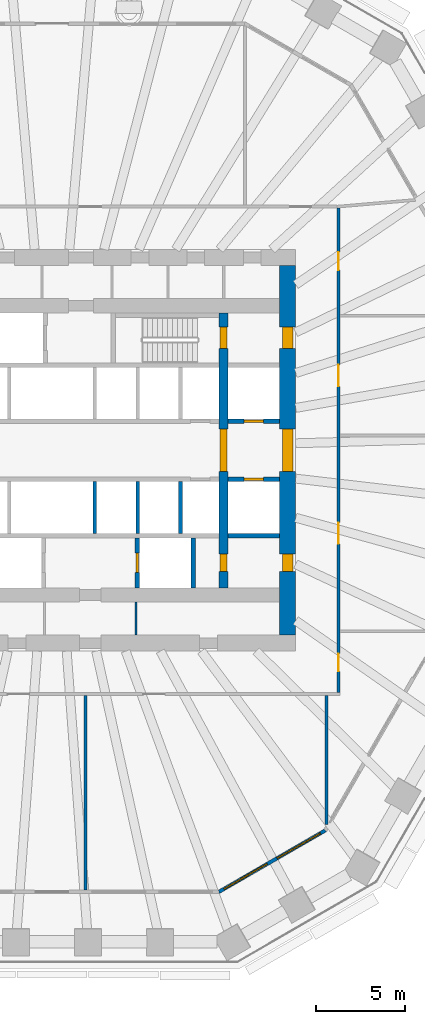
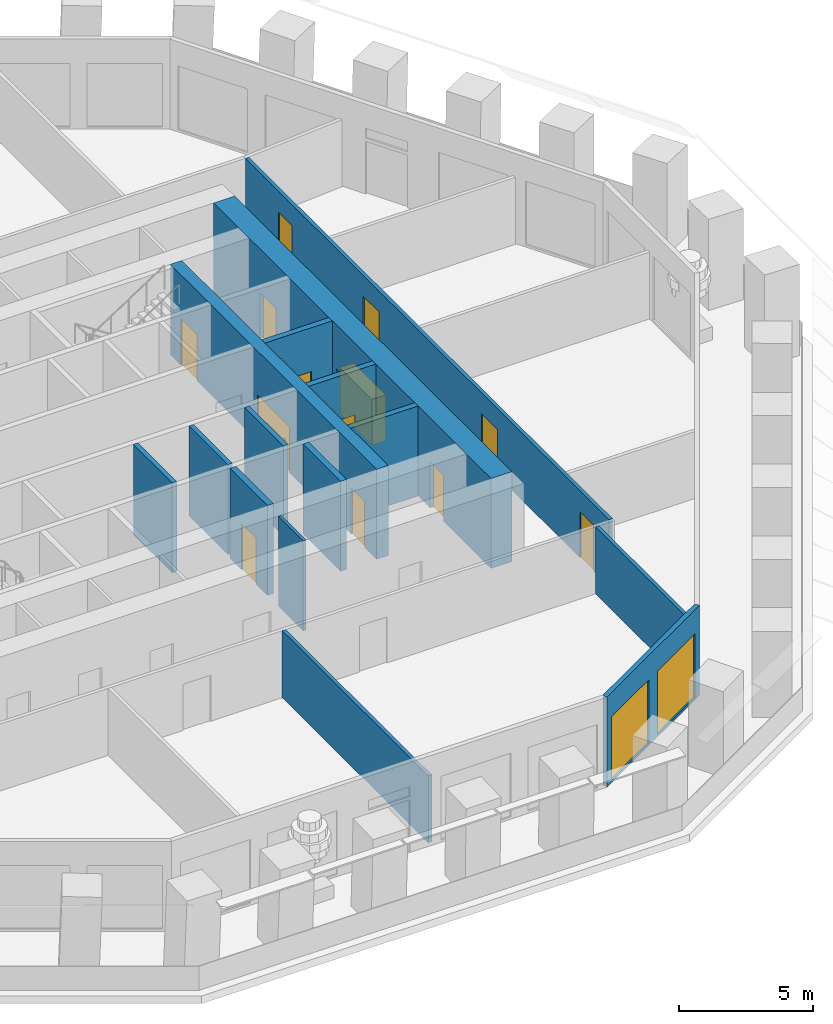
# One storey, part 5 of 12: 15 walls, 13 doors, 2 windows, 15 openings.
"""IFC4 building model written with IfcOpenShell, lengths in metres."""

import ifcopenshell
import ifcopenshell.guid

model = None  # the IFC model being written
_history = None  # IfcOwnerHistory: only IFC2X3 demands one
_inside = {}  # id of a spatial element -> (the spatial element, [elements in it])
_under = {}  # id of a project, library or spatial element -> (it, [spatial elements below it])
_declared = {}  # id of a project -> (the project, [libraries it declares])
_typed = {}  # id of a type object -> (the type object, [elements of that type])
_made_of = {}  # id of a material, layer set ... -> (it, [elements and type objects made of it])


def new_model(schema):
    """Start an empty IFC model of exactly this schema.

    Asked for "IFC4X3", IfcOpenShell would pick the latest addendum, in which some entities
    have other attributes; the version numbers below select the first issue.
    IFC2X3 requires an IfcOwnerHistory on every rooted entity: one is made here for all.
    """
    global model, _history
    if schema == "IFC4X3":
        model = ifcopenshell.file(schema_version=(4, 3, 0, 0))
    else:
        model = ifcopenshell.file(schema=schema)
    _inside.clear()
    _under.clear()
    _declared.clear()
    _typed.clear()
    _made_of.clear()
    _history = None
    if model.schema == "IFC2X3":
        org = make("IfcOrganization", Name="unknown")
        user = make(
            "IfcPersonAndOrganization",
            ThePerson=make("IfcPerson", FamilyName="unknown"),
            TheOrganization=org,
        )
        app = make(
            "IfcApplication",
            ApplicationDeveloper=org,
            Version="unknown",
            ApplicationFullName="unknown",
            ApplicationIdentifier="unknown",
        )
        _history = make(
            "IfcOwnerHistory",
            OwningUser=user,
            OwningApplication=app,
            ChangeAction="ADDED",
            CreationDate=0,
        )
    return model


def make(cls, **values):
    """One entity of the class cls with the attributes given. An attribute that is None is left unset."""
    return model.create_entity(
        cls, **{name: value for name, value in values.items() if value is not None}
    )


def rooted(cls, **values):
    """An entity with a GlobalId (a new one), such as an element, a storey or a relation."""
    return make(cls, GlobalId=ifcopenshell.guid.new(), OwnerHistory=_history, **values)


def si_unit(unit_type, name, prefix=None):
    """IfcSIUnit, for example si_unit("LENGTHUNIT", "METRE", prefix="MILLI")."""
    return make("IfcSIUnit", UnitType=unit_type, Prefix=prefix, Name=name)


def assignment(units):
    """IfcUnitAssignment: the units of a project."""
    return None if units is None else make("IfcUnitAssignment", Units=units)


def point(xyz):
    """IfcCartesianPoint."""
    return None if xyz is None else make("IfcCartesianPoint", Coordinates=xyz)


def direction(xyz):
    """IfcDirection."""
    return None if xyz is None else make("IfcDirection", DirectionRatios=xyz)


def frame(location, z_axis=None, x_axis=None):
    """IfcAxis2Placement3D, a coordinate frame: its origin and axes. An axis left out is left unset."""
    return make(
        "IfcAxis2Placement3D",
        Location=point(location),
        Axis=direction(z_axis),
        RefDirection=direction(x_axis),
    )


def frame_2d(location, x_axis=None):
    """IfcAxis2Placement2D, a coordinate frame in the plane: its origin and x axis."""
    return make(
        "IfcAxis2Placement2D", Location=point(location), RefDirection=direction(x_axis)
    )


def origin():
    """The frame at (0, 0, 0) with its axes left unset."""
    return frame((0.0, 0.0, 0.0))


def place(relative_to, where):
    """IfcLocalPlacement: puts the frame where relative to a parent placement (None: the world)."""
    return make(
        "IfcLocalPlacement", PlacementRelTo=relative_to, RelativePlacement=where
    )


def context(
    kind, dimensions, precision=None, world=None, true_north=None, identifier=None
):
    """IfcGeometricRepresentationContext, for example the 3D "Model" context."""
    return make(
        "IfcGeometricRepresentationContext",
        ContextIdentifier=identifier,
        ContextType=kind,
        CoordinateSpaceDimension=dimensions,
        Precision=precision,
        WorldCoordinateSystem=world,
        TrueNorth=true_north,
    )


def subcontext(parent, identifier, kind, view, scale=None):
    """IfcGeometricRepresentationSubContext, for example "Body" below "Model"."""
    return make(
        "IfcGeometricRepresentationSubContext",
        ContextIdentifier=identifier,
        ContextType=kind,
        ParentContext=parent,
        TargetScale=scale,
        TargetView=view,
    )


def project(units=None, contexts=None):
    """IfcProject with its units and contexts."""
    return rooted(
        "IfcProject",
        Name="project",
        RepresentationContexts=contexts,
        UnitsInContext=assignment(units),
    )


def spatial(cls, under=None, at=None, **own):
    """A site, building, storey or space (cls), placed at a placement, below another one or the project."""
    s = rooted(cls, ObjectPlacement=at, **own)
    if under is not None:
        _under.setdefault(under.id(), (under, []))[1].append(s)
    return s


def polyline(points):
    """IfcPolyline through the points."""
    return make("IfcPolyline", Points=[point(p) for p in points])


def profile(cls, at=None, kind="AREA", **sizes):
    """A parametric profile (cls). Its sizes go by their IFC names, for example OverallWidth=200.0."""
    return make(cls, ProfileType=kind, Position=at, **sizes)


def rectangle(**sizes):
    """IfcRectangleProfileDef."""
    return profile("IfcRectangleProfileDef", **sizes)


def outline(outer, holes=None, kind="AREA"):
    """IfcArbitraryClosedProfileDef: a profile drawn as a closed curve; with holes, ...WithVoids."""
    if holes is None:
        return make("IfcArbitraryClosedProfileDef", ProfileType=kind, OuterCurve=outer)
    return make(
        "IfcArbitraryProfileDefWithVoids",
        ProfileType=kind,
        OuterCurve=outer,
        InnerCurves=holes,
    )


def extrude(swept, where, along, depth):
    """IfcExtrudedAreaSolid: the profile swept, set in the frame where, extruded along a direction by depth."""
    return make(
        "IfcExtrudedAreaSolid",
        SweptArea=swept,
        Position=where,
        ExtrudedDirection=direction(along),
        Depth=depth,
    )


def shape(context_of_items, identifier, shape_type, items):
    """IfcShapeRepresentation: the items that make up one representation, for example the "Body"."""
    return make(
        "IfcShapeRepresentation",
        ContextOfItems=context_of_items,
        RepresentationIdentifier=identifier,
        RepresentationType=shape_type,
        Items=items,
    )


def material(Name=None, Category=None):
    """IfcMaterial."""
    return make("IfcMaterial", Name=Name, Category=Category)


def layer(
    of_material, thickness, ventilated=None, Name=None, Category=None, Priority=None
):
    """IfcMaterialLayer: one layer of a wall or slab, of a material (None: an air gap)."""
    return make(
        "IfcMaterialLayer",
        Material=of_material,
        LayerThickness=thickness,
        IsVentilated=ventilated,
        Name=Name,
        Category=Category,
        Priority=Priority,
    )


def layer_set(layers, Name=None):
    """IfcMaterialLayerSet."""
    return make("IfcMaterialLayerSet", MaterialLayers=layers, LayerSetName=Name)


def made_of(thing, what):
    """Note that an element or type object is made of a material, layer set ...; save() writes the relation."""
    if what is not None:
        _made_of.setdefault(what.id(), (what, []))[1].append(thing)
    return thing


def type_object(cls, material=None, **own):
    """A type object (cls), such as IfcWallType, which elements share."""
    return made_of(rooted(cls, **own), material)


def element(
    cls,
    number,
    at=None,
    inside=None,
    cuts=None,
    type_object=None,
    material=None,
    context=None,
    identifier="Body",
    shape_type=None,
    held_by="IfcProductDefinitionShape",
    body=None,
    shapes=None,
    **own,
):
    """One element of the class cls, such as IfcWall. Its Tag is "e" and its number.

    at: its placement. inside: the storey or other place that contains it. cuts: it is an
    opening in that element (IfcRelVoidsElement). A single representation is given by context,
    identifier, shape_type and body (its items); several are given by shapes. held_by: the class
    of the entity that holds the representations. save() writes the other relations.
    """
    e = rooted(cls, Tag="e%d" % number, ObjectPlacement=at, **own)
    if body is not None:
        shapes = [shape(context, identifier, shape_type, body)]
    if shapes is not None:
        e.Representation = make(held_by, Representations=shapes)
    if inside is not None:
        _inside.setdefault(inside.id(), (inside, []))[1].append(e)
    if cuts is not None:
        rooted(
            "IfcRelVoidsElement", RelatingBuildingElement=cuts, RelatedOpeningElement=e
        )
    if type_object is not None:
        _typed.setdefault(type_object.id(), (type_object, []))[1].append(e)
    return made_of(e, material)


def fill(opening, filler):
    """IfcRelFillsElement: the door or window that sits in an opening."""
    return rooted(
        "IfcRelFillsElement",
        RelatingOpeningElement=opening,
        RelatedBuildingElement=filler,
    )


def aggregate(whole, parts):
    """IfcRelAggregates: a whole, such as a stair, and the parts it consists of."""
    return rooted("IfcRelAggregates", RelatingObject=whole, RelatedObjects=parts)


def save(model, path):
    """Write the relations noted so far, then the file.

    IfcRelAggregates (storeys below a building ...), IfcRelContainedInSpatialStructure (elements
    in a storey), IfcRelDefinesByType, IfcRelAssociatesMaterial and IfcRelDeclares: one each for
    every whole, place, type object, material and project.
    """
    for whole, parts in _under.values():
        aggregate(whole, parts)
    for where, things in _inside.values():
        rooted(
            "IfcRelContainedInSpatialStructure",
            RelatedElements=things,
            RelatingStructure=where,
        )
    for kind, things in _typed.values():
        rooted("IfcRelDefinesByType", RelatedObjects=things, RelatingType=kind)
    for what, things in _made_of.values():
        rooted("IfcRelAssociatesMaterial", RelatedObjects=things, RelatingMaterial=what)
    for by, libraries in _declared.values():
        rooted("IfcRelDeclares", RelatingContext=by, RelatedDefinitions=libraries)
    model.write(path)


model = new_model("IFC4")

# Units and contexts
model_context = context("Model", 3, precision=1e-05, world=origin(), true_north=direction((0.0, 1.0)))
body_context = subcontext(model_context, "Body", "Model", "MODEL_VIEW")
ifc_project = project(units=[si_unit("LENGTHUNIT", "METRE"), si_unit("AREAUNIT", "SQUARE_METRE"), si_unit("VOLUMEUNIT", "CUBIC_METRE"), si_unit("PLANEANGLEUNIT", "RADIAN"), si_unit("MASSUNIT", "GRAM", prefix="KILO")], contexts=[model_context])

# Site, building, storey
site_placement = place(None, origin())
site = spatial("IfcSite", under=ifc_project, at=site_placement, CompositionType="ELEMENT")
building_placement = place(site_placement, origin())
building = spatial("IfcBuilding", under=site, at=building_placement, Name="Frailejon Research Tower", CompositionType="ELEMENT")
storey_placement = place(building_placement, frame((0.0, 0.0, 41.0)))
storey = spatial("IfcBuildingStorey", under=building, at=storey_placement, Name="L09", CompositionType="ELEMENT", Elevation=41.0)

# Wall
ifc_material_1 = material(Name="Plasterboard on steel studs", Category="steel")
ifc_layer_1 = layer(ifc_material_1, 0.125)
ifc_layer_set_1 = layer_set([ifc_layer_1], Name="Core partition 125")
wall_type_1 = type_object("IfcWallType", Name="Core partition 125", PredefinedType="PARTITIONING", material=ifc_layer_set_1)
wall_1_placement = place(storey_placement, frame((4.71240234375, -10.35009765625, 0.0), z_axis=(0.0, 0.0, 1.0), x_axis=(0.0, 1.0, 0.0)))
element("IfcWall", 1, at=wall_1_placement, inside=storey, type_object=wall_type_1, Name="Core partition", PredefinedType="PARTITIONING", context=body_context, shape_type="SweptSolid", body=[
    extrude(rectangle(XDim=1.85009765625, YDim=0.125, at=frame_2d((0.925048828125, 0.0))), origin(), (0.0, 0.0, 1.0), 4.10009765625),
])

# Wall, openings, doors
ifc_material_2 = material(Name="Concrete C70/85", Category="concrete")
ifc_layer_2 = layer(ifc_material_2, 0.5)
ifc_layer_set_2 = layer_set([ifc_layer_2], Name="Core shear wall 500 C70/85")
wall_type_2 = type_object("IfcWallType", Name="Core shear wall 500 C70/85", PredefinedType="SHEAR", material=ifc_layer_set_2)
wall_2_placement = place(storey_placement, frame((9.60009765625, -7.699951171875, 0.0), z_axis=(0.0, 0.0, 1.0), x_axis=(0.0, 1.0, 0.0)))
wall_2 = element("IfcWall", 2, at=wall_2_placement, inside=storey, type_object=wall_type_2, Name="Core shear wall", PredefinedType="SHEAR", context=body_context, shape_type="SweptSolid", body=[
    extrude(rectangle(XDim=15.39990234375, YDim=0.5, at=frame_2d((7.699951171875, 0.0))), origin(), (0.0, 0.0, 1.0), 4.10009765625),
])
opening_1_placement = place(wall_2_placement, frame((6.5, 0.0, 0.0)))
opening_1 = element("IfcOpeningElement", 3, at=opening_1_placement, cuts=wall_2, Name="Opening D2", PredefinedType="OPENING", context=body_context, shape_type="SweptSolid", body=[
    extrude(rectangle(XDim=2.39990234375, YDim=2.10009765625, at=frame_2d((1.199951171875, 1.050048828125))), frame((0.0, 0.260009765625, 0.0), z_axis=(0.0, -1.0, 0.0), x_axis=(1.0, 0.0, 0.0)), (0.0, 0.0, 1.0), 0.52001953125),
])
opening_2_placement = place(wall_2_placement, frame((13.39990234375, 0.0, 0.0)))
opening_2 = element("IfcOpeningElement", 4, at=opening_2_placement, cuts=wall_2, Name="Opening D1", PredefinedType="OPENING", context=body_context, shape_type="SweptSolid", body=[
    extrude(rectangle(XDim=1.199951171875, YDim=2.10009765625, at=frame_2d((0.60009765625, 1.050048828125))), frame((0.0, 0.260009765625, 0.0), z_axis=(0.0, -1.0, 0.0), x_axis=(1.0, 0.0, 0.0)), (0.0, 0.0, 1.0), 0.52001953125),
])
opening_3_placement = place(wall_2_placement, frame((0.89990234375, 0.0, 0.0)))
opening_3 = element("IfcOpeningElement", 5, at=opening_3_placement, cuts=wall_2, Name="Opening D4", PredefinedType="OPENING", context=body_context, shape_type="SweptSolid", body=[
    extrude(rectangle(XDim=1.0, YDim=2.10009765625, at=frame_2d((0.5, 1.050048828125))), frame((0.0, 0.260009765625, 0.0), z_axis=(0.0, -1.0, 0.0), x_axis=(1.0, 0.0, 0.0)), (0.0, 0.0, 1.0), 0.52001953125),
])
ifc_material_3 = material(Name="Steel", Category="steel")
door_type_1 = type_object("IfcDoorType", Name="Lobby double door", OperationType="DOUBLE_DOOR_SINGLE_SWING", PredefinedType="DOOR", material=ifc_material_3)
door_1_placement = place(opening_1_placement, origin())
door_1 = element("IfcDoor", 6, at=door_1_placement, inside=storey, type_object=door_type_1, Name="Lobby door", OperationType="DOUBLE_DOOR_SINGLE_SWING", OverallHeight=2.10009765625, OverallWidth=2.39990234375, PredefinedType="DOOR", context=body_context, shape_type="SweptSolid", body=[
    extrude(rectangle(XDim=2.39990234375, YDim=2.10009765625, at=frame_2d((1.199951171875, 1.050048828125))), frame((0.0, 0.199951171875, 0.0), z_axis=(0.0, -1.0, 0.0), x_axis=(1.0, 0.0, 0.0)), (0.0, 0.0, 1.0), 0.39990234375),
])
fill(opening_1, door_1)
ifc_material_4 = material(Name="Steel", Category="steel")
door_type_2 = type_object("IfcDoorType", Name="Service door", OperationType="SINGLE_SWING_LEFT", PredefinedType="DOOR", material=ifc_material_4)
door_2_placement = place(opening_3_placement, origin())
door_2 = element("IfcDoor", 7, at=door_2_placement, inside=storey, type_object=door_type_2, Name="Riser door", OperationType="SINGLE_SWING_RIGHT", OverallHeight=2.10009765625, OverallWidth=1.0, PredefinedType="DOOR", context=body_context, shape_type="SweptSolid", body=[
    extrude(rectangle(XDim=1.0, YDim=2.10009765625, at=frame_2d((0.5, 1.050048828125))), frame((0.0, 0.199951171875, 0.0), z_axis=(0.0, -1.0, 0.0), x_axis=(1.0, 0.0, 0.0)), (0.0, 0.0, 1.0), 0.39990234375),
])
fill(opening_3, door_2)
ifc_material_5 = material(Name="Steel", Category="steel")
door_type_3 = type_object("IfcDoorType", Name="Stair door", OperationType="SINGLE_SWING_LEFT", PredefinedType="DOOR", material=ifc_material_5)
door_3_placement = place(opening_2_placement, origin())
door_3 = element("IfcDoor", 8, at=door_3_placement, inside=storey, type_object=door_type_3, Name="Stair door ST3", OperationType="SINGLE_SWING_RIGHT", OverallHeight=2.10009765625, OverallWidth=1.199951171875, PredefinedType="DOOR", context=body_context, shape_type="SweptSolid", body=[
    extrude(rectangle(XDim=1.199951171875, YDim=2.10009765625, at=frame_2d((0.60009765625, 1.050048828125))), frame((0.0, 0.199951171875, 0.0), z_axis=(0.0, -1.0, 0.0), x_axis=(1.0, 0.0, 0.0)), (0.0, 0.0, 1.0), 0.39990234375),
])
fill(opening_2, door_3)

ifc_material_6 = material(Name="Concrete C70/85", Category="concrete")
ifc_layer_3 = layer(ifc_material_6, 0.89990234375)
ifc_layer_set_3 = layer_set([ifc_layer_3], Name="Core shear wall 900 C70/85")
wall_type_3 = type_object("IfcWallType", Name="Core shear wall 900 C70/85", PredefinedType="SHEAR", material=ifc_layer_set_3)
wall_3_placement = place(storey_placement, frame((13.199951171875, -10.35009765625, 0.0), z_axis=(0.0, 0.0, 1.0), x_axis=(0.0, 1.0, 0.0)))
wall_3 = element("IfcWall", 9, at=wall_3_placement, inside=storey, type_object=wall_type_3, Name="Core shear wall", PredefinedType="SHEAR", context=body_context, shape_type="SweptSolid", body=[
    extrude(rectangle(XDim=20.7001953125, YDim=0.89990234375, at=frame_2d((10.35009765625, 0.0))), origin(), (0.0, 0.0, 1.0), 4.10009765625),
])
opening_4_placement = place(wall_3_placement, frame((9.14990234375, 0.0, 0.0)))
opening_4 = element("IfcOpeningElement", 10, at=opening_4_placement, cuts=wall_3, Name="Opening D2", PredefinedType="OPENING", context=body_context, shape_type="SweptSolid", body=[
    extrude(rectangle(XDim=2.39990234375, YDim=2.10009765625, at=frame_2d((1.199951171875, 1.050048828125))), frame((0.0, 0.4599609375, 0.0), z_axis=(0.0, -1.0, 0.0), x_axis=(1.0, 0.0, 0.0)), (0.0, 0.0, 1.0), 0.919921875),
])
opening_5_placement = place(wall_3_placement, frame((16.050048828125, 0.0, 0.0)))
opening_5 = element("IfcOpeningElement", 11, at=opening_5_placement, cuts=wall_3, Name="Opening D7", PredefinedType="OPENING", context=body_context, shape_type="SweptSolid", body=[
    extrude(rectangle(XDim=1.199951171875, YDim=2.10009765625, at=frame_2d((0.60009765625, 1.050048828125))), frame((0.0, 0.4599609375, 0.0), z_axis=(0.0, -1.0, 0.0), x_axis=(1.0, 0.0, 0.0)), (0.0, 0.0, 1.0), 0.919921875),
])
opening_6_placement = place(wall_3_placement, frame((3.550048828125, 0.0, 0.0)))
opening_6 = element("IfcOpeningElement", 12, at=opening_6_placement, cuts=wall_3, Name="Opening D4", PredefinedType="OPENING", context=body_context, shape_type="SweptSolid", body=[
    extrude(rectangle(XDim=1.0, YDim=2.10009765625, at=frame_2d((0.5, 1.050048828125))), frame((0.0, 0.4599609375, 0.0), z_axis=(0.0, -1.0, 0.0), x_axis=(1.0, 0.0, 0.0)), (0.0, 0.0, 1.0), 0.919921875),
])
door_4_placement = place(opening_4_placement, origin())
door_4 = element("IfcDoor", 13, at=door_4_placement, inside=storey, type_object=door_type_1, Name="Lobby door", OperationType="DOUBLE_DOOR_SINGLE_SWING", OverallHeight=2.10009765625, OverallWidth=2.39990234375, PredefinedType="DOOR", context=body_context, shape_type="SweptSolid", body=[
    extrude(rectangle(XDim=2.39990234375, YDim=2.10009765625, at=frame_2d((1.199951171875, 1.050048828125))), frame((0.0, 0.300048828125, 0.0), z_axis=(0.0, -1.0, 0.0), x_axis=(1.0, 0.0, 0.0)), (0.0, 0.0, 1.0), 0.60009765625),
])
fill(opening_4, door_4)
door_5_placement = place(opening_6_placement, origin())
door_5 = element("IfcDoor", 14, at=door_5_placement, inside=storey, type_object=door_type_2, Name="Store door", OperationType="SINGLE_SWING_LEFT", OverallHeight=2.10009765625, OverallWidth=1.0, PredefinedType="DOOR", context=body_context, shape_type="SweptSolid", body=[
    extrude(rectangle(XDim=1.0, YDim=2.10009765625, at=frame_2d((0.5, 1.050048828125))), frame((0.0, 0.300048828125, 0.0), z_axis=(0.0, -1.0, 0.0), x_axis=(1.0, 0.0, 0.0)), (0.0, 0.0, 1.0), 0.60009765625),
])
fill(opening_6, door_5)
ifc_material_7 = material(Name="Steel", Category="steel")
door_type_4 = type_object("IfcDoorType", Name="Stair exit door", OperationType="SINGLE_SWING_LEFT", PredefinedType="DOOR", material=ifc_material_7)
door_6_placement = place(opening_5_placement, origin())
door_6 = element("IfcDoor", 15, at=door_6_placement, inside=storey, type_object=door_type_4, Name="Stair exit door ST3", OperationType="SINGLE_SWING_LEFT", OverallHeight=2.10009765625, OverallWidth=1.199951171875, PredefinedType="DOOR", context=body_context, shape_type="SweptSolid", body=[
    extrude(rectangle(XDim=1.199951171875, YDim=2.10009765625, at=frame_2d((0.60009765625, 1.050048828125))), frame((0.0, 0.300048828125, 0.0), z_axis=(0.0, -1.0, 0.0), x_axis=(1.0, 0.0, 0.0)), (0.0, 0.0, 1.0), 0.60009765625),
])
fill(opening_5, door_6)

ifc_material_8 = material(Name="Gypsum board and masonry partition", Category="masonry")
ifc_layer_4 = layer(ifc_material_8, 0.14990234375)
ifc_layer_set_4 = layer_set([ifc_layer_4], Name="Corridor wall EI 60, gypsum on steel studs 150")
wall_type_4 = type_object("IfcWallType", Name="Corridor wall EI 60, gypsum on steel studs 150", PredefinedType="PARTITIONING", material=ifc_layer_set_4)
wall_4_placement = place(storey_placement, frame((16.050048828125, -13.574951171875, 0.0), z_axis=(0.0, 0.0, 1.0), x_axis=(0.0, 1.0, 0.0)))
wall_4 = element("IfcWall", 16, at=wall_4_placement, inside=storey, type_object=wall_type_4, Name="T:IW:L09:001", PredefinedType="PARTITIONING", context=body_context, shape_type="SweptSolid", body=[
    extrude(rectangle(XDim=27.14990234375, YDim=0.14990234375, at=frame_2d((13.574951171875, 0.0))), origin(), (0.0, 0.0, 1.0), 3.050048828125),
])
opening_7_placement = place(wall_4_placement, frame((17.160888671875, 0.0, 0.0)))
opening_7 = element("IfcOpeningElement", 17, at=opening_7_placement, cuts=wall_4, Name="Opening D1372", PredefinedType="OPENING", context=body_context, shape_type="SweptSolid", body=[
    extrude(rectangle(XDim=1.199951171875, YDim=2.10009765625, at=frame_2d((0.60009765625, 1.050048828125))), frame((0.0, 0.0849609375, 0.0), z_axis=(0.0, -1.0, 0.0), x_axis=(1.0, 0.0, 0.0)), (0.0, 0.0, 1.0), 0.169921875),
])
opening_8_placement = place(wall_4_placement, frame((23.671142578125, 0.0, 0.0)))
opening_8 = element("IfcOpeningElement", 18, at=opening_8_placement, cuts=wall_4, Name="Opening D1373", PredefinedType="OPENING", context=body_context, shape_type="SweptSolid", body=[
    extrude(rectangle(XDim=1.0, YDim=2.10009765625, at=frame_2d((0.5, 1.050048828125))), frame((0.0, 0.0849609375, 0.0), z_axis=(0.0, -1.0, 0.0), x_axis=(1.0, 0.0, 0.0)), (0.0, 0.0, 1.0), 0.169921875),
])
opening_9_placement = place(wall_4_placement, frame((1.1865234375, 0.0, 0.0)))
opening_9 = element("IfcOpeningElement", 19, at=opening_9_placement, cuts=wall_4, Name="Opening D1385", PredefinedType="OPENING", context=body_context, shape_type="SweptSolid", body=[
    extrude(rectangle(XDim=1.0, YDim=2.10009765625, at=frame_2d((0.5, 1.050048828125))), frame((0.0, 0.0849609375, 0.0), z_axis=(0.0, -1.0, 0.0), x_axis=(1.0, 0.0, 0.0)), (0.0, 0.0, 1.0), 0.169921875),
])
opening_10_placement = place(wall_4_placement, frame((8.326416015625, 0.0, 0.0)))
opening_10 = element("IfcOpeningElement", 20, at=opening_10_placement, cuts=wall_4, Name="Opening D1386", PredefinedType="OPENING", context=body_context, shape_type="SweptSolid", body=[
    extrude(rectangle(XDim=1.199951171875, YDim=2.10009765625, at=frame_2d((0.60009765625, 1.050048828125))), frame((0.0, 0.0849609375, 0.0), z_axis=(0.0, -1.0, 0.0), x_axis=(1.0, 0.0, 0.0)), (0.0, 0.0, 1.0), 0.169921875),
])
ifc_material_9 = material(Name="Timber door leaf", Category="wood")
door_type_5 = type_object("IfcDoorType", Name="Door laboratory, timber, vision panel 1000", OperationType="NOTDEFINED", PredefinedType="DOOR", material=ifc_material_9)
door_7_placement = place(opening_8_placement, origin())
door_7 = element("IfcDoor", 21, at=door_7_placement, inside=storey, type_object=door_type_5, Name="D1373", OperationType="SINGLE_SWING_LEFT", OverallHeight=2.10009765625, OverallWidth=1.0, PredefinedType="DOOR", context=body_context, shape_type="SweptSolid", body=[
    extrude(rectangle(XDim=1.0, YDim=2.10009765625, at=frame_2d((0.5, 1.050048828125))), frame((0.0, 0.02490234375, 0.0), z_axis=(0.0, -1.0, 0.0), x_axis=(1.0, 0.0, 0.0)), (0.0, 0.0, 1.0), 0.050048828125),
])
fill(opening_8, door_7)
ifc_material_10 = material(Name="Timber door leaf", Category="wood")
door_type_6 = type_object("IfcDoorType", Name="Door laboratory, timber, vision panel 1200", OperationType="NOTDEFINED", PredefinedType="DOOR", material=ifc_material_10)
door_8_placement = place(opening_7_placement, origin())
door_8 = element("IfcDoor", 22, at=door_8_placement, inside=storey, type_object=door_type_6, Name="D1372", OperationType="DOUBLE_DOOR_SINGLE_SWING", OverallHeight=2.10009765625, OverallWidth=1.199951171875, PredefinedType="DOOR", context=body_context, shape_type="SweptSolid", body=[
    extrude(rectangle(XDim=1.199951171875, YDim=2.10009765625, at=frame_2d((0.60009765625, 1.050048828125))), frame((0.0, 0.02490234375, 0.0), z_axis=(0.0, -1.0, 0.0), x_axis=(1.0, 0.0, 0.0)), (0.0, 0.0, 1.0), 0.050048828125),
])
fill(opening_7, door_8)
door_9_placement = place(opening_10_placement, origin())
door_9 = element("IfcDoor", 23, at=door_9_placement, inside=storey, type_object=door_type_6, Name="D1386", OperationType="DOUBLE_DOOR_SINGLE_SWING", OverallHeight=2.10009765625, OverallWidth=1.199951171875, PredefinedType="DOOR", context=body_context, shape_type="SweptSolid", body=[
    extrude(rectangle(XDim=1.199951171875, YDim=2.10009765625, at=frame_2d((0.60009765625, 1.050048828125))), frame((0.0, 0.02490234375, 0.0), z_axis=(0.0, -1.0, 0.0), x_axis=(1.0, 0.0, 0.0)), (0.0, 0.0, 1.0), 0.050048828125),
])
fill(opening_10, door_9)
ifc_material_11 = material(Name="Timber door leaf", Category="wood")
door_type_7 = type_object("IfcDoorType", Name="Door single leaf, timber, steel frame 1000", OperationType="NOTDEFINED", PredefinedType="DOOR", material=ifc_material_11)
door_10_placement = place(opening_9_placement, origin())
door_10 = element("IfcDoor", 24, at=door_10_placement, inside=storey, type_object=door_type_7, Name="D1385", OperationType="SINGLE_SWING_LEFT", OverallHeight=2.10009765625, OverallWidth=1.0, PredefinedType="DOOR", context=body_context, shape_type="SweptSolid", body=[
    extrude(rectangle(XDim=1.0, YDim=2.10009765625, at=frame_2d((0.5, 1.050048828125))), frame((0.0, 0.02490234375, 0.0), z_axis=(0.0, -1.0, 0.0), x_axis=(1.0, 0.0, 0.0)), (0.0, 0.0, 1.0), 0.050048828125),
])
fill(opening_9, door_10)

# Walls
ifc_material_12 = material(Name="Gypsum board and masonry partition", Category="masonry")
ifc_layer_5 = layer(ifc_material_12, 0.14990234375)
ifc_layer_set_5 = layer_set([ifc_layer_5], Name="Laboratory partition, blockwork 150")
wall_type_5 = type_object("IfcWallType", Name="Laboratory partition, blockwork 150", PredefinedType="PARTITIONING", material=ifc_layer_set_5)
wall_5_placement = place(storey_placement, frame((1.87548828125, -24.629638671875, 0.0), z_axis=(0.0, 0.0, 1.0), x_axis=(0.0, 1.0, 0.0)))
element("IfcWall", 25, at=wall_5_placement, inside=storey, type_object=wall_type_5, Name="T:IW:L09:015", PredefinedType="PARTITIONING", context=body_context, shape_type="SweptSolid", body=[
    extrude(rectangle(XDim=10.904541015625, YDim=0.14990234375, at=frame_2d((5.4521484375, 0.0))), origin(), (0.0, 0.0, 1.0), 3.050048828125),
])
wall_6_placement = place(storey_placement, frame((15.37744140625, -20.965576171875, 0.0), z_axis=(0.0, 0.0, 1.0), x_axis=(0.0, 1.0, 0.0)))
element("IfcWall", 26, at=wall_6_placement, inside=storey, type_object=wall_type_5, Name="T:IW:L09:016", PredefinedType="PARTITIONING", context=body_context, shape_type="SweptSolid", body=[
    extrude(rectangle(XDim=7.240478515625, YDim=0.14990234375, at=frame_2d((3.6201171875, 0.0))), origin(), (0.0, 0.0, 1.0), 3.050048828125),
])
ifc_material_13 = material(Name="Concrete C70/85", Category="concrete")
ifc_layer_6 = layer(ifc_material_13, 0.199951171875)
ifc_layer_set_6 = layer_set([ifc_layer_6], Name="Shaft wall 200 C70/85")
wall_type_6 = type_object("IfcWallType", Name="Shaft wall 200 C70/85", PredefinedType="SOLIDWALL", material=ifc_layer_set_6)
for number, where, z_axis, x_axis, name in (
    (27, (2.39990234375, -4.64990234375, 0.0), (0.0, 0.0, 1.0), (0.0, 1.0, 0.0), "Shaft wall"),
    (28, (4.800048828125, -4.64990234375, 0.0), (0.0, 0.0, 1.0), (0.0, 1.0, 0.0), "Shaft wall"),
    (29, (7.199951171875, -4.64990234375, 0.0), (0.0, 0.0, 1.0), (0.0, 1.0, 0.0), "Shaft wall"),
):
    element("IfcWall", number, at=place(storey_placement, frame(where, z_axis=z_axis, x_axis=x_axis)), inside=storey, type_object=wall_type_6, Name=name, PredefinedType="SOLIDWALL", context=body_context, shape_type="SweptSolid", body=[
        extrude(rectangle(XDim=2.89990234375, YDim=0.199951171875, at=frame_2d((1.449951171875, 0.0))), origin(), (0.0, 0.0, 1.0), 4.10009765625),
    ])

# Wall, opening, door
ifc_material_14 = material(Name="Concrete C70/85", Category="concrete")
ifc_layer_7 = layer(ifc_material_14, 0.25)
ifc_layer_set_7 = layer_set([ifc_layer_7], Name="Shaft wall 250 C70/85")
wall_type_7 = type_object("IfcWallType", Name="Shaft wall 250 C70/85", PredefinedType="SOLIDWALL", material=ifc_layer_set_7)
wall_7_placement = place(storey_placement, frame((9.85009765625, 1.625, 0.0), z_axis=(0.0, 0.0, 1.0), x_axis=(1.0, 0.0, 0.0)))
wall_7 = element("IfcWall", 30, at=wall_7_placement, inside=storey, type_object=wall_type_7, Name="Shaft wall", PredefinedType="SOLIDWALL", context=body_context, shape_type="SweptSolid", body=[
    extrude(rectangle(XDim=2.89990234375, YDim=0.25, at=frame_2d((1.449951171875, 0.0))), origin(), (0.0, 0.0, 1.0), 4.10009765625),
])
opening_11_placement = place(wall_7_placement, frame((0.89990234375, 0.0, 0.0)))
opening_11 = element("IfcOpeningElement", 31, at=opening_11_placement, cuts=wall_7, Name="Opening LD", PredefinedType="OPENING", context=body_context, shape_type="SweptSolid", body=[
    extrude(rectangle(XDim=1.10009765625, YDim=2.10009765625, at=frame_2d((0.550048828125, 1.050048828125))), frame((0.0, 0.135009765625, 0.0), z_axis=(0.0, -1.0, 0.0), x_axis=(1.0, 0.0, 0.0)), (0.0, 0.0, 1.0), 0.27001953125),
])
ifc_material_15 = material(Name="Steel", Category="steel")
door_type_8 = type_object("IfcDoorType", Name="Lift landing door", OperationType="DOUBLE_DOOR_SLIDING", PredefinedType="DOOR", material=ifc_material_15)
door_11_placement = place(opening_11_placement, origin())
door_11 = element("IfcDoor", 32, at=door_11_placement, inside=storey, type_object=door_type_8, Name="Lift landing door", OperationType="DOUBLE_DOOR_SLIDING", OverallHeight=2.10009765625, OverallWidth=1.10009765625, PredefinedType="DOOR", context=body_context, shape_type="SweptSolid", body=[
    extrude(rectangle(XDim=1.10009765625, YDim=2.10009765625, at=frame_2d((0.550048828125, 1.050048828125))), frame((0.0, 0.074951171875, 0.0), z_axis=(0.0, -1.0, 0.0), x_axis=(1.0, 0.0, 0.0)), (0.0, 0.0, 1.0), 0.14990234375),
])
fill(opening_11, door_11)

wall_8_placement = place(storey_placement, frame((9.85009765625, -1.625, 0.0), z_axis=(0.0, 0.0, 1.0), x_axis=(1.0, 0.0, 0.0)))
wall_8 = element("IfcWall", 33, at=wall_8_placement, inside=storey, type_object=wall_type_7, Name="Shaft wall", PredefinedType="SOLIDWALL", context=body_context, shape_type="SweptSolid", body=[
    extrude(rectangle(XDim=2.89990234375, YDim=0.25, at=frame_2d((1.449951171875, 0.0))), origin(), (0.0, 0.0, 1.0), 4.10009765625),
])
opening_12_placement = place(wall_8_placement, frame((0.89990234375, 0.0, 0.0)))
opening_12 = element("IfcOpeningElement", 34, at=opening_12_placement, cuts=wall_8, Name="Opening LD", PredefinedType="OPENING", context=body_context, shape_type="SweptSolid", body=[
    extrude(rectangle(XDim=1.10009765625, YDim=2.10009765625, at=frame_2d((0.550048828125, 1.050048828125))), frame((0.0, 0.135009765625, 0.0), z_axis=(0.0, -1.0, 0.0), x_axis=(1.0, 0.0, 0.0)), (0.0, 0.0, 1.0), 0.27001953125),
])
door_12_placement = place(opening_12_placement, origin())
door_12 = element("IfcDoor", 35, at=door_12_placement, inside=storey, type_object=door_type_8, Name="Lift landing door", OperationType="DOUBLE_DOOR_SLIDING", OverallHeight=2.10009765625, OverallWidth=1.10009765625, PredefinedType="DOOR", context=body_context, shape_type="SweptSolid", body=[
    extrude(rectangle(XDim=1.10009765625, YDim=2.10009765625, at=frame_2d((0.550048828125, 1.050048828125))), frame((0.0, 0.074951171875, 0.0), z_axis=(0.0, -1.0, 0.0), x_axis=(1.0, 0.0, 0.0)), (0.0, 0.0, 1.0), 0.14990234375),
])
fill(opening_12, door_12)

# Wall
wall_9_placement = place(storey_placement, frame((9.85009765625, -4.77490234375, 0.0), z_axis=(0.0, 0.0, 1.0), x_axis=(1.0, 0.0, 0.0)))
element("IfcWall", 36, at=wall_9_placement, inside=storey, type_object=wall_type_7, Name="Shaft wall", PredefinedType="SOLIDWALL", context=body_context, shape_type="SweptSolid", body=[
    extrude(rectangle(XDim=2.89990234375, YDim=0.25, at=frame_2d((1.449951171875, 0.0))), origin(), (0.0, 0.0, 1.0), 4.10009765625),
])

# Wall, opening, door
wall_10_placement = place(storey_placement, frame((4.77490234375, -7.699951171875, 0.0), z_axis=(0.0, 0.0, 1.0), x_axis=(0.0, 1.0, 0.0)))
wall_10 = element("IfcWall", 37, at=wall_10_placement, inside=storey, type_object=wall_type_7, Name="Shaft wall", PredefinedType="SOLIDWALL", context=body_context, shape_type="SweptSolid", body=[
    extrude(rectangle(XDim=2.800048828125, YDim=0.25, at=frame_2d((1.39990234375, 0.0))), origin(), (0.0, 0.0, 1.0), 4.10009765625),
])
opening_13_placement = place(wall_10_placement, frame((0.85009765625, 0.0, 0.0)))
opening_13 = element("IfcOpeningElement", 38, at=opening_13_placement, cuts=wall_10, Name="Opening LD", PredefinedType="OPENING", context=body_context, shape_type="SweptSolid", body=[
    extrude(rectangle(XDim=1.10009765625, YDim=2.10009765625, at=frame_2d((0.550048828125, 1.050048828125))), frame((0.0, 0.135009765625, 0.0), z_axis=(0.0, -1.0, 0.0), x_axis=(1.0, 0.0, 0.0)), (0.0, 0.0, 1.0), 0.27001953125),
])
door_13_placement = place(opening_13_placement, origin())
door_13 = element("IfcDoor", 39, at=door_13_placement, inside=storey, type_object=door_type_8, Name="Lift landing door", OperationType="DOUBLE_DOOR_SLIDING", OverallHeight=2.10009765625, OverallWidth=1.10009765625, PredefinedType="DOOR", context=body_context, shape_type="SweptSolid", body=[
    extrude(rectangle(XDim=1.10009765625, YDim=2.10009765625, at=frame_2d((0.550048828125, 1.050048828125))), frame((0.0, 0.074951171875, 0.0), z_axis=(0.0, -1.0, 0.0), x_axis=(1.0, 0.0, 0.0)), (0.0, 0.0, 1.0), 0.14990234375),
])
fill(opening_13, door_13)

# Wall
wall_11_placement = place(storey_placement, frame((7.925048828125, -7.699951171875, 0.0), z_axis=(0.0, 0.0, 1.0), x_axis=(0.0, 1.0, 0.0)))
element("IfcWall", 40, at=wall_11_placement, inside=storey, type_object=wall_type_7, Name="Shaft wall", PredefinedType="SOLIDWALL", context=body_context, shape_type="SweptSolid", body=[
    extrude(rectangle(XDim=2.800048828125, YDim=0.25, at=frame_2d((1.39990234375, 0.0))), origin(), (0.0, 0.0, 1.0), 4.10009765625),
])

# Wall, openings, windows
ifc_material_16 = material(Name="Concrete C40/50 precast window wall panel", Category="concrete")
ifc_layer_8 = layer(ifc_material_16, 0.199951171875)
ifc_layer_set_8 = layer_set([ifc_layer_8], Name="Window wall 200")
wall_type_8 = type_object("IfcWallType", Name="Window wall 200", PredefinedType="SOLIDWALL", material=ifc_layer_set_8)
wall_12_placement = place(storey_placement, frame((9.3505859375, -24.729736328125, 0.0), z_axis=(0.0, 0.0, 1.0), x_axis=(0.866014080581, 0.50001961185, 0.0)))
wall_12 = element("IfcWall", 41, at=wall_12_placement, inside=storey, type_object=wall_type_8, Name="Exterior wall L09", PredefinedType="SOLIDWALL", context=body_context, shape_type="SweptSolid", body=[
    extrude(outline(polyline([(-0.02685546875, -0.10009765625), (1.1279296875, -0.10009765625), (2.28271484375, -0.10009765625), (3.4375, -0.10009765625), (4.592041015625, -0.10009765625), (5.746826171875, -0.10009765625), (6.901611328125, -0.10009765625), (6.847900390625, 0.10009765625), (5.7109375, 0.10009765625), (4.57421875, 0.10009765625), (3.4375, 0.10009765625), (2.300537109375, 0.10009765625), (1.16357421875, 0.10009765625), (0.02685546875, 0.10009765625), (-0.02685546875, -0.10009765625)])), origin(), (0.0, 0.0, 1.0), 4.10009765625),
])
opening_14_placement = place(wall_12_placement, frame((0.318603515625, 0.0, 0.10009765625)))
opening_14 = element("IfcOpeningElement", 42, at=opening_14_placement, cuts=wall_12, Name="Opening W3", PredefinedType="OPENING", context=body_context, shape_type="SweptSolid", body=[
    extrude(rectangle(XDim=2.800048828125, YDim=2.89990234375, at=frame_2d((1.39990234375, 1.449951171875))), frame((0.0, 0.10986328125, 0.0), z_axis=(0.0, -1.0, 0.0), x_axis=(1.0, 0.0, 0.0)), (0.0, 0.0, 1.0), 0.219970703125),
])
opening_15_placement = place(wall_12_placement, frame((3.756103515625, 0.0, 0.10009765625)))
opening_15 = element("IfcOpeningElement", 43, at=opening_15_placement, cuts=wall_12, Name="Opening W3", PredefinedType="OPENING", context=body_context, shape_type="SweptSolid", body=[
    extrude(rectangle(XDim=2.800048828125, YDim=2.89990234375, at=frame_2d((1.39990234375, 1.449951171875))), frame((0.0, 0.10986328125, 0.0), z_axis=(0.0, -1.0, 0.0), x_axis=(1.0, 0.0, 0.0)), (0.0, 0.0, 1.0), 0.219970703125),
])
ifc_material_17 = material(Name="Aluminium framed double glazing", Category="aluminium")
window_type = type_object("IfcWindowType", Name="Window 2800x2900", PartitioningType="SINGLE_PANEL", PredefinedType="WINDOW", material=ifc_material_17)
window_1_placement = place(opening_14_placement, origin())
window_1 = element("IfcWindow", 44, at=window_1_placement, inside=storey, type_object=window_type, Name="Window L09", OverallHeight=2.89990234375, OverallWidth=2.800048828125, PartitioningType="SINGLE_PANEL", PredefinedType="WINDOW", context=body_context, shape_type="SweptSolid", body=[
    extrude(rectangle(XDim=2.800048828125, YDim=2.89990234375, at=frame_2d((1.39990234375, 1.449951171875))), frame((0.0, 0.030029296875, 0.0), z_axis=(0.0, -1.0, 0.0), x_axis=(1.0, 0.0, 0.0)), (0.0, 0.0, 1.0), 0.06005859375),
])
fill(opening_14, window_1)
window_2_placement = place(opening_15_placement, origin())
window_2 = element("IfcWindow", 45, at=window_2_placement, inside=storey, type_object=window_type, Name="Window L09", OverallHeight=2.89990234375, OverallWidth=2.800048828125, PartitioningType="SINGLE_PANEL", PredefinedType="WINDOW", context=body_context, shape_type="SweptSolid", body=[
    extrude(rectangle(XDim=2.800048828125, YDim=2.89990234375, at=frame_2d((1.39990234375, 1.449951171875))), frame((0.0, 0.030029296875, 0.0), z_axis=(0.0, -1.0, 0.0), x_axis=(1.0, 0.0, 0.0)), (0.0, 0.0, 1.0), 0.06005859375),
])
fill(opening_15, window_2)

save(model, "model.ifc")
